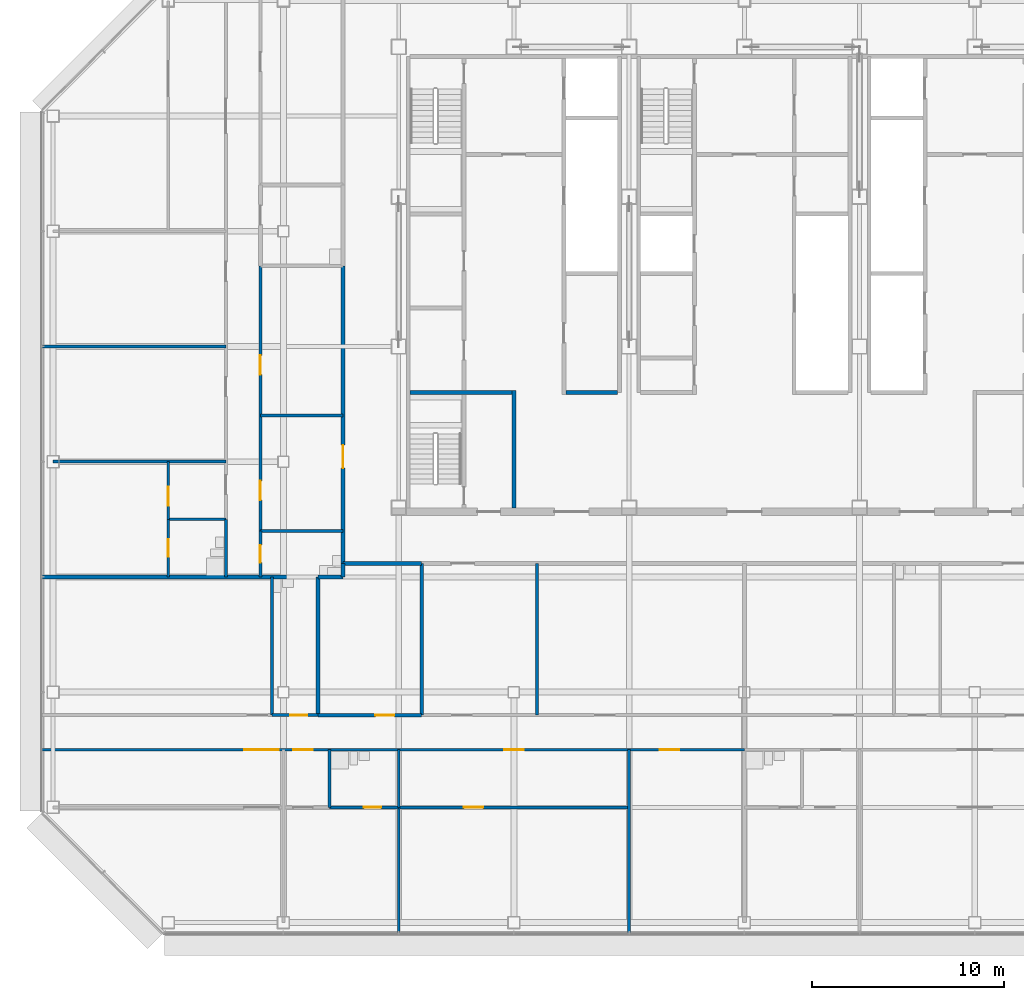
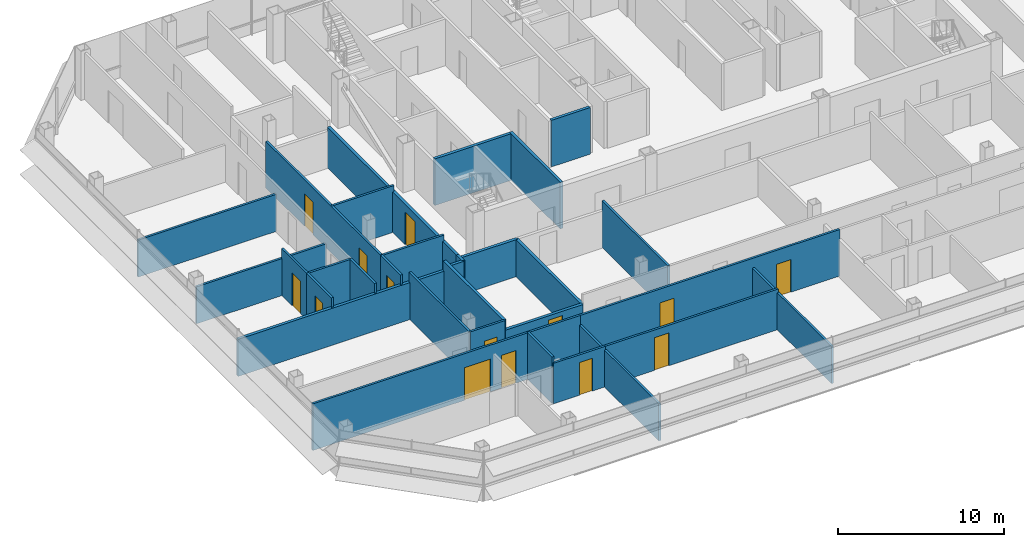
# One storey, part 20 of 26: 33 walls, 14 doors, 14 openings.
"""IFC4 building model written with IfcOpenShell, lengths in metres."""

from ifc_helpers import new_model, si_unit, direction, frame, frame_2d, origin, place, context, subcontext, project, spatial, rectangle, extrude, material, layer, layer_set, type_object, element, fill, save


model = new_model("IFC4")

# Units and contexts
model_context = context("Model", 3, precision=1e-05, world=origin(), true_north=direction((0.0, 1.0)))
body_context = subcontext(model_context, "Body", "Model", "MODEL_VIEW")
ifc_project = project(units=[si_unit("LENGTHUNIT", "METRE"), si_unit("AREAUNIT", "SQUARE_METRE"), si_unit("VOLUMEUNIT", "CUBIC_METRE"), si_unit("PLANEANGLEUNIT", "RADIAN"), si_unit("MASSUNIT", "GRAM", prefix="KILO")], contexts=[model_context])

# Site, building, storey
site_placement = place(None, origin())
site = spatial("IfcSite", under=ifc_project, at=site_placement, CompositionType="ELEMENT")
building_placement = place(site_placement, origin())
building = spatial("IfcBuilding", under=site, at=building_placement, Name="Sorahane Residences", CompositionType="ELEMENT")
storey_placement = place(building_placement, frame((0.0, 0.0, 222.60009765625)))
storey = spatial("IfcBuildingStorey", under=building, at=storey_placement, Name="L52", CompositionType="ELEMENT", Elevation=222.60009765625)

# Wall, opening, door
ifc_material_1 = material(Name="Concrete blockwork C20 wall", Category="masonry")
ifc_layer_1 = layer(ifc_material_1, 0.199951171875)
ifc_layer_set_1 = layer_set([ifc_layer_1], Name="Corridor wall 200 EI 120")
wall_type_1 = type_object("IfcWallType", Name="Corridor wall 200 EI 120", PredefinedType="SOLIDWALL", material=ifc_layer_set_1)
wall_1_placement = place(storey_placement, frame((3.10009765625, 18.699951171875, 0.0), z_axis=(0.0, 0.0, 1.0), x_axis=(0.0, 1.0, 0.0)))
wall_1 = element("IfcWall", 1, at=wall_1_placement, inside=storey, type_object=wall_type_1, Name="L52 corridor wall", PredefinedType="SOLIDWALL", context=body_context, shape_type="SweptSolid", body=[
    extrude(rectangle(XDim=15.5, YDim=0.199951171875, at=frame_2d((7.75, 0.0))), origin(), (0.0, 0.0, 1.0), 2.969970703125),
])
opening_1_placement = place(wall_1_placement, frame((4.9599609375, 0.0, 0.0)))
opening_1 = element("IfcOpeningElement", 2, at=opening_1_placement, cuts=wall_1, Name="Opening L52-40", PredefinedType="OPENING", context=body_context, shape_type="SweptSolid", body=[
    extrude(rectangle(XDim=1.199951171875, YDim=2.39990234375, at=frame_2d((0.60009765625, 1.199951171875))), frame((0.0, 0.10986328125, 0.0), z_axis=(0.0, -1.0, 0.0), x_axis=(1.0, 0.0, 0.0)), (0.0, 0.0, 1.0), 0.219970703125),
])
ifc_material_2 = material(Name="Timber veneered fire door", Category="wood")
door_type_1 = type_object("IfcDoorType", Name="Flat entrance door 1200x2400 FD60", OperationType="NOTDEFINED", PredefinedType="DOOR", material=ifc_material_2)
door_1_placement = place(opening_1_placement, origin())
door_1 = element("IfcDoor", 3, at=door_1_placement, inside=storey, type_object=door_type_1, Name="Flat entrance door L52-40", OperationType="SINGLE_SWING_LEFT", OverallHeight=2.39990234375, OverallWidth=1.199951171875, PredefinedType="DOOR", context=body_context, shape_type="SweptSolid", body=[
    extrude(rectangle(XDim=1.199951171875, YDim=2.39990234375, at=frame_2d((0.60009765625, 1.199951171875))), frame((0.0, 0.02490234375, 0.0), z_axis=(0.0, -1.0, 0.0), x_axis=(1.0, 0.0, 0.0)), (0.0, 0.0, 1.0), 0.050048828125),
])
fill(opening_1, door_1)

# Walls
ifc_material_3 = material(Name="Concrete C30", Category="concrete")
ifc_layer_2 = layer(ifc_material_3, 0.199951171875)
ifc_layer_set_2 = layer_set([ifc_layer_2], Name="Front room wall 200 EI 120")
wall_type_2 = type_object("IfcWallType", Name="Front room wall 200 EI 120", PredefinedType="PARTITIONING", material=ifc_layer_set_2)
wall_2_placement = place(storey_placement, frame((12.0, 21.60009765625, 0.0), z_axis=(0.0, 0.0, 1.0), x_axis=(0.0, 1.0, 0.0)))
element("IfcWall", 4, at=wall_2_placement, inside=storey, type_object=wall_type_2, Name="L52 front room wall", PredefinedType="PARTITIONING", context=body_context, shape_type="SweptSolid", body=[
    extrude(rectangle(XDim=6.099853515625, YDim=0.199951171875, at=frame_2d((3.0498046875, 0.0))), origin(), (0.0, 0.0, 1.0), 3.419921875),
])
ifc_material_4 = material(Name="Concrete blockwork C20 wall", Category="masonry")
ifc_layer_3 = layer(ifc_material_4, 0.199951171875)
ifc_layer_set_3 = layer_set([ifc_layer_3], Name="Kitchen wall 200 EI 180")
wall_type_3 = type_object("IfcWallType", Name="Kitchen wall 200 EI 180", PredefinedType="SOLIDWALL", material=ifc_layer_set_3)
wall_3_placement = place(storey_placement, frame((1.800048828125, 10.800048828125, 0.0), z_axis=(0.0, 0.0, 1.0), x_axis=(0.0, 1.0, 0.0)))
element("IfcWall", 5, at=wall_3_placement, inside=storey, type_object=wall_type_3, Name="L52 kitchen wall", PredefinedType="SOLIDWALL", context=body_context, shape_type="SweptSolid", body=[
    extrude(rectangle(XDim=7.199951171875, YDim=0.199951171875, at=frame_2d((3.60009765625, 0.0))), origin(), (0.0, 0.0, 1.0), 3.419921875),
])
wall_4_placement = place(storey_placement, frame((3.10009765625, 18.0, 0.0), z_axis=(0.0, 0.0, 1.0), x_axis=(0.0, 1.0, 0.0)))
element("IfcWall", 6, at=wall_4_placement, inside=storey, type_object=wall_type_3, Name="L52 kitchen wall", PredefinedType="SOLIDWALL", context=body_context, shape_type="SweptSolid", body=[
    extrude(rectangle(XDim=0.699951171875, YDim=0.199951171875, at=frame_2d((0.35009765625, 0.0))), origin(), (0.0, 0.0, 1.0), 2.969970703125),
])
wall_5_placement = place(storey_placement, frame((7.199951171875, 10.800048828125, 0.0), z_axis=(0.0, 0.0, 1.0), x_axis=(0.0, 1.0, 0.0)))
element("IfcWall", 7, at=wall_5_placement, inside=storey, type_object=wall_type_3, Name="L52 kitchen wall", PredefinedType="SOLIDWALL", context=body_context, shape_type="SweptSolid", body=[
    extrude(rectangle(XDim=7.89990234375, YDim=0.199951171875, at=frame_2d((3.949951171875, 0.0))), origin(), (0.0, 0.0, 1.0), 2.719970703125),
])

# Wall, opening, door
wall_6_placement = place(storey_placement, frame((1.800048828125, 10.800048828125, 0.0), z_axis=(0.0, 0.0, 1.0), x_axis=(1.0, 0.0, 0.0)))
wall_6 = element("IfcWall", 8, at=wall_6_placement, inside=storey, type_object=wall_type_3, Name="L52 kitchen wall", PredefinedType="SOLIDWALL", context=body_context, shape_type="SweptSolid", body=[
    extrude(rectangle(XDim=5.39990234375, YDim=0.199951171875, at=frame_2d((2.699951171875, 0.0))), origin(), (0.0, 0.0, 1.0), 2.719970703125),
])
opening_2_placement = place(wall_6_placement, frame((2.97998046875, 0.0, 0.0)))
opening_2 = element("IfcOpeningElement", 9, at=opening_2_placement, cuts=wall_6, Name="Opening L52-04", PredefinedType="OPENING", context=body_context, shape_type="SweptSolid", body=[
    extrude(rectangle(XDim=1.0, YDim=2.39990234375, at=frame_2d((0.5, 1.199951171875))), frame((0.0, 0.10986328125, 0.0), z_axis=(0.0, -1.0, 0.0), x_axis=(1.0, 0.0, 0.0)), (0.0, 0.0, 1.0), 0.219970703125),
])
ifc_material_5 = material(Name="Steel", Category="steel")
door_type_2 = type_object("IfcDoorType", Name="Kitchen door 1000x2400 FD120", OperationType="NOTDEFINED", PredefinedType="DOOR", material=ifc_material_5)
door_2_placement = place(opening_2_placement, origin())
door_2 = element("IfcDoor", 10, at=door_2_placement, inside=storey, type_object=door_type_2, Name="Kitchen door L52-04", OperationType="SINGLE_SWING_RIGHT", OverallHeight=2.39990234375, OverallWidth=1.0, PredefinedType="DOOR", context=body_context, shape_type="SweptSolid", body=[
    extrude(rectangle(XDim=1.0, YDim=2.39990234375, at=frame_2d((0.5, 1.199951171875))), frame((0.0, 0.02490234375, 0.0), z_axis=(0.0, -1.0, 0.0), x_axis=(1.0, 0.0, 0.0)), (0.0, 0.0, 1.0), 0.050048828125),
])
fill(opening_2, door_2)

# Walls
wall_7_placement = place(storey_placement, frame((1.800048828125, 18.0, 0.0), z_axis=(0.0, 0.0, 1.0), x_axis=(1.0, 0.0, 0.0)))
element("IfcWall", 11, at=wall_7_placement, inside=storey, type_object=wall_type_3, Name="L52 kitchen wall", PredefinedType="SOLIDWALL", context=body_context, shape_type="SweptSolid", body=[
    extrude(rectangle(XDim=1.300048828125, YDim=0.199951171875, at=frame_2d((0.64990234375, 0.0))), origin(), (0.0, 0.0, 1.0), 2.969970703125),
])
wall_8_placement = place(storey_placement, frame((3.10009765625, 18.699951171875, 0.0), z_axis=(0.0, 0.0, 1.0), x_axis=(1.0, 0.0, 0.0)))
element("IfcWall", 12, at=wall_8_placement, inside=storey, type_object=wall_type_3, Name="L52 kitchen wall", PredefinedType="SOLIDWALL", context=body_context, shape_type="SweptSolid", body=[
    extrude(rectangle(XDim=4.099853515625, YDim=0.199951171875, at=frame_2d((2.0498046875, 0.0))), origin(), (0.0, 0.0, 1.0), 2.719970703125),
])

# Wall, openings, doors
ifc_material_6 = material(Name="Gypsum board partition on steel studs", Category="steel")
ifc_layer_4 = layer(ifc_material_6, 0.14990234375)
ifc_layer_set_4 = layer_set([ifc_layer_4], Name="Partition 150 EI 90")
wall_type_4 = type_object("IfcWallType", Name="Partition 150 EI 90", PredefinedType="PARTITIONING", material=ifc_layer_set_4)
wall_9_placement = place(storey_placement, frame((-1.199951171875, 20.39990234375, 0.0), z_axis=(0.0, 0.0, 1.0), x_axis=(0.0, 1.0, 0.0)))
wall_9 = element("IfcWall", 13, at=wall_9_placement, inside=storey, type_object=wall_type_4, Name="L52 partition", PredefinedType="PARTITIONING", context=body_context, shape_type="SweptSolid", body=[
    extrude(rectangle(XDim=13.800048828125, YDim=0.14990234375, at=frame_2d((6.89990234375, 0.0))), origin(), (0.0, 0.0, 1.0), 3.419921875),
])
opening_3_placement = place(wall_9_placement, frame((1.60009765625, 0.0, 0.0)))
opening_3 = element("IfcOpeningElement", 14, at=opening_3_placement, cuts=wall_9, Name="Opening L52-26", PredefinedType="OPENING", context=body_context, shape_type="SweptSolid", body=[
    extrude(rectangle(XDim=1.0, YDim=2.39990234375, at=frame_2d((0.5, 1.199951171875))), frame((0.0, 0.0849609375, 0.0), z_axis=(0.0, -1.0, 0.0), x_axis=(1.0, 0.0, 0.0)), (0.0, 0.0, 1.0), 0.169921875),
])
opening_4_placement = place(wall_9_placement, frame((8.139892578125, 0.0, 0.0)))
opening_4 = element("IfcOpeningElement", 15, at=opening_4_placement, cuts=wall_9, Name="Opening L52-28", PredefinedType="OPENING", context=body_context, shape_type="SweptSolid", body=[
    extrude(rectangle(XDim=1.0, YDim=2.39990234375, at=frame_2d((0.5, 1.199951171875))), frame((0.0, 0.0849609375, 0.0), z_axis=(0.0, -1.0, 0.0), x_axis=(1.0, 0.0, 0.0)), (0.0, 0.0, 1.0), 0.169921875),
])
ifc_material_7 = material(Name="Timber veneered fire door", Category="wood")
door_type_3 = type_object("IfcDoorType", Name="Room door 1000x2400 FD30", OperationType="NOTDEFINED", PredefinedType="DOOR", material=ifc_material_7)
door_3_placement = place(opening_3_placement, origin())
door_3 = element("IfcDoor", 16, at=door_3_placement, inside=storey, type_object=door_type_3, Name="Room door L52-26", OperationType="SINGLE_SWING_RIGHT", OverallHeight=2.39990234375, OverallWidth=1.0, PredefinedType="DOOR", context=body_context, shape_type="SweptSolid", body=[
    extrude(rectangle(XDim=1.0, YDim=2.39990234375, at=frame_2d((0.5, 1.199951171875))), frame((0.0, 0.02490234375, 0.0), z_axis=(0.0, -1.0, 0.0), x_axis=(1.0, 0.0, 0.0)), (0.0, 0.0, 1.0), 0.050048828125),
])
fill(opening_3, door_3)
door_4_placement = place(opening_4_placement, frame((1.0, 0.0, 0.0), z_axis=(0.0, 0.0, 1.0), x_axis=(-1.0, 0.0, 0.0)))
door_4 = element("IfcDoor", 17, at=door_4_placement, inside=storey, type_object=door_type_3, Name="Room door L52-28", OperationType="SINGLE_SWING_RIGHT", OverallHeight=2.39990234375, OverallWidth=1.0, PredefinedType="DOOR", context=body_context, shape_type="SweptSolid", body=[
    extrude(rectangle(XDim=1.0, YDim=2.39990234375, at=frame_2d((0.5, 1.199951171875))), frame((0.0, 0.02490234375, 0.0), z_axis=(0.0, -1.0, 0.0), x_axis=(1.0, 0.0, 0.0)), (0.0, 0.0, 1.0), 0.050048828125),
])
fill(opening_4, door_4)

# Wall, opening, door
wall_10_placement = place(storey_placement, frame((-6.0, 21.0, 0.0), z_axis=(0.0, 0.0, 1.0), x_axis=(0.0, 1.0, 0.0)))
wall_10 = element("IfcWall", 18, at=wall_10_placement, inside=storey, type_object=wall_type_4, Name="L52 partition", PredefinedType="PARTITIONING", context=body_context, shape_type="SweptSolid", body=[
    extrude(rectangle(XDim=3.0, YDim=0.14990234375, at=frame_2d((1.5, 0.0))), origin(), (0.0, 0.0, 1.0), 3.419921875),
])
opening_5_placement = place(wall_10_placement, frame((0.699951171875, 0.0, 0.0)))
opening_5 = element("IfcOpeningElement", 19, at=opening_5_placement, cuts=wall_10, Name="Opening L52-35", PredefinedType="OPENING", context=body_context, shape_type="SweptSolid", body=[
    extrude(rectangle(XDim=1.0, YDim=2.39990234375, at=frame_2d((0.5, 1.199951171875))), frame((0.0, 0.0849609375, 0.0), z_axis=(0.0, -1.0, 0.0), x_axis=(1.0, 0.0, 0.0)), (0.0, 0.0, 1.0), 0.169921875),
])
door_5_placement = place(opening_5_placement, origin())
door_5 = element("IfcDoor", 20, at=door_5_placement, inside=storey, type_object=door_type_3, Name="Room door L52-35", OperationType="SINGLE_SWING_RIGHT", OverallHeight=2.39990234375, OverallWidth=1.0, PredefinedType="DOOR", context=body_context, shape_type="SweptSolid", body=[
    extrude(rectangle(XDim=1.0, YDim=2.39990234375, at=frame_2d((0.5, 1.199951171875))), frame((0.0, 0.02490234375, 0.0), z_axis=(0.0, -1.0, 0.0), x_axis=(1.0, 0.0, 0.0)), (0.0, 0.0, 1.0), 0.050048828125),
])
fill(opening_5, door_5)

# Walls
wall_11_placement = place(storey_placement, frame((13.199951171875, 10.800048828125, 0.0), z_axis=(0.0, 0.0, 1.0), x_axis=(0.0, 1.0, 0.0)))
element("IfcWall", 21, at=wall_11_placement, inside=storey, type_object=wall_type_4, Name="L52 partition", PredefinedType="PARTITIONING", context=body_context, shape_type="SweptSolid", body=[
    extrude(rectangle(XDim=7.89990234375, YDim=0.14990234375, at=frame_2d((3.949951171875, 0.0))), origin(), (0.0, 0.0, 1.0), 3.419921875),
])
wall_12_placement = place(storey_placement, frame((18.0, -0.60009765625, 0.0), z_axis=(0.0, 0.0, 1.0), x_axis=(0.0, 1.0, 0.0)))
element("IfcWall", 22, at=wall_12_placement, inside=storey, type_object=wall_type_4, Name="L52 partition", PredefinedType="PARTITIONING", context=body_context, shape_type="SweptSolid", body=[
    extrude(rectangle(XDim=9.60009765625, YDim=0.14990234375, at=frame_2d((4.800048828125, 0.0))), origin(), (0.0, 0.0, 1.0), 2.719970703125),
])
wall_13_placement = place(storey_placement, frame((6.0, -0.60009765625, 0.0), z_axis=(0.0, 0.0, 1.0), x_axis=(0.0, 1.0, 0.0)))
element("IfcWall", 23, at=wall_13_placement, inside=storey, type_object=wall_type_4, Name="L52 partition", PredefinedType="PARTITIONING", context=body_context, shape_type="SweptSolid", body=[
    extrude(rectangle(XDim=6.60009765625, YDim=0.14990234375, at=frame_2d((3.300048828125, 0.0))), origin(), (0.0, 0.0, 1.0), 2.719970703125),
])
wall_14_placement = place(storey_placement, frame((-12.0, 24.0, 0.0), z_axis=(0.0, 0.0, 1.0), x_axis=(1.0, 0.0, 0.0)))
element("IfcWall", 24, at=wall_14_placement, inside=storey, type_object=wall_type_4, Name="L52 partition", PredefinedType="PARTITIONING", context=body_context, shape_type="SweptSolid", body=[
    extrude(rectangle(XDim=9.0, YDim=0.14990234375, at=frame_2d((4.5, 0.0))), origin(), (0.0, 0.0, 1.0), 2.719970703125),
])
wall_15_placement = place(storey_placement, frame((-1.199951171875, 26.39990234375, 0.0), z_axis=(0.0, 0.0, 1.0), x_axis=(1.0, 0.0, 0.0)))
element("IfcWall", 25, at=wall_15_placement, inside=storey, type_object=wall_type_4, Name="L52 partition", PredefinedType="PARTITIONING", context=body_context, shape_type="SweptSolid", body=[
    extrude(rectangle(XDim=4.300048828125, YDim=0.14990234375, at=frame_2d((2.14990234375, 0.0))), origin(), (0.0, 0.0, 1.0), 3.419921875),
])
wall_16_placement = place(storey_placement, frame((-12.60009765625, 30.0, 0.0), z_axis=(0.0, 0.0, 1.0), x_axis=(1.0, 0.0, 0.0)))
element("IfcWall", 26, at=wall_16_placement, inside=storey, type_object=wall_type_4, Name="L52 partition", PredefinedType="PARTITIONING", context=body_context, shape_type="SweptSolid", body=[
    extrude(rectangle(XDim=9.60009765625, YDim=0.14990234375, at=frame_2d((4.800048828125, 0.0))), origin(), (0.0, 0.0, 1.0), 2.719970703125),
])

# Wall, opening, door
wall_17_placement = place(storey_placement, frame((6.0, 6.0, 0.0), z_axis=(0.0, 0.0, 1.0), x_axis=(1.0, 0.0, 0.0)))
wall_17 = element("IfcWall", 27, at=wall_17_placement, inside=storey, type_object=wall_type_4, Name="L52 partition", PredefinedType="PARTITIONING", context=body_context, shape_type="SweptSolid", body=[
    extrude(rectangle(XDim=12.0, YDim=0.14990234375, at=frame_2d((6.0, 0.0))), origin(), (0.0, 0.0, 1.0), 2.969970703125),
])
opening_6_placement = place(wall_17_placement, frame((3.39990234375, 0.0, 0.0)))
opening_6 = element("IfcOpeningElement", 28, at=opening_6_placement, cuts=wall_17, Name="Opening L52-13", PredefinedType="OPENING", context=body_context, shape_type="SweptSolid", body=[
    extrude(rectangle(XDim=1.0, YDim=2.39990234375, at=frame_2d((0.5, 1.199951171875))), frame((0.0, 0.0849609375, 0.0), z_axis=(0.0, -1.0, 0.0), x_axis=(1.0, 0.0, 0.0)), (0.0, 0.0, 1.0), 0.169921875),
])
door_6_placement = place(opening_6_placement, frame((1.0, 0.0, 0.0), z_axis=(0.0, 0.0, 1.0), x_axis=(-1.0, 0.0, 0.0)))
door_6 = element("IfcDoor", 29, at=door_6_placement, inside=storey, type_object=door_type_3, Name="Room door L52-13", OperationType="SINGLE_SWING_RIGHT", OverallHeight=2.39990234375, OverallWidth=1.0, PredefinedType="DOOR", context=body_context, shape_type="SweptSolid", body=[
    extrude(rectangle(XDim=1.0, YDim=2.39990234375, at=frame_2d((0.5, 1.199951171875))), frame((0.0, 0.02490234375, 0.0), z_axis=(0.0, -1.0, 0.0), x_axis=(1.0, 0.0, 0.0)), (0.0, 0.0, 1.0), 0.050048828125),
])
fill(opening_6, door_6)

# Wall, openings, doors
wall_18_placement = place(storey_placement, frame((-12.60009765625, 9.0, 0.0), z_axis=(0.0, 0.0, 1.0), x_axis=(1.0, 0.0, 0.0)))
wall_18 = element("IfcWall", 30, at=wall_18_placement, inside=storey, type_object=wall_type_4, Name="L52 partition", PredefinedType="PARTITIONING", context=body_context, shape_type="SweptSolid", body=[
    extrude(rectangle(XDim=15.0, YDim=0.14990234375, at=frame_2d((7.5, 0.0))), origin(), (0.0, 0.0, 1.0), 3.419921875),
])
opening_7_placement = place(wall_18_placement, frame((10.550048828125, 0.0, 0.0)))
opening_7 = element("IfcOpeningElement", 31, at=opening_7_placement, cuts=wall_18, Name="Opening L52-06", PredefinedType="OPENING", context=body_context, shape_type="SweptSolid", body=[
    extrude(rectangle(XDim=1.800048828125, YDim=2.39990234375, at=frame_2d((0.89990234375, 1.199951171875))), frame((0.0, 0.0849609375, 0.0), z_axis=(0.0, -1.0, 0.0), x_axis=(1.0, 0.0, 0.0)), (0.0, 0.0, 1.0), 0.169921875),
])
opening_8_placement = place(wall_18_placement, frame((13.1201171875, 0.0, 0.0)))
opening_8 = element("IfcOpeningElement", 32, at=opening_8_placement, cuts=wall_18, Name="Opening L52-07", PredefinedType="OPENING", context=body_context, shape_type="SweptSolid", body=[
    extrude(rectangle(XDim=1.0, YDim=2.39990234375, at=frame_2d((0.5, 1.199951171875))), frame((0.0, 0.0849609375, 0.0), z_axis=(0.0, -1.0, 0.0), x_axis=(1.0, 0.0, 0.0)), (0.0, 0.0, 1.0), 0.169921875),
])
ifc_material_8 = material(Name="Timber veneered fire door", Category="wood")
door_type_4 = type_object("IfcDoorType", Name="Double door 1800x2400 FD30", OperationType="NOTDEFINED", PredefinedType="DOOR", material=ifc_material_8)
door_7_placement = place(opening_7_placement, frame((1.800048828125, 0.0, 0.0), z_axis=(0.0, 0.0, 1.0), x_axis=(-1.0, 0.0, 0.0)))
door_7 = element("IfcDoor", 33, at=door_7_placement, inside=storey, type_object=door_type_4, Name="Double door L52-06", OperationType="SINGLE_SWING_LEFT", OverallHeight=2.39990234375, OverallWidth=1.800048828125, PredefinedType="DOOR", context=body_context, shape_type="SweptSolid", body=[
    extrude(rectangle(XDim=1.800048828125, YDim=2.39990234375, at=frame_2d((0.89990234375, 1.199951171875))), frame((0.0, 0.02490234375, 0.0), z_axis=(0.0, -1.0, 0.0), x_axis=(1.0, 0.0, 0.0)), (0.0, 0.0, 1.0), 0.050048828125),
])
fill(opening_7, door_7)
door_8_placement = place(opening_8_placement, frame((1.0, 0.0, 0.0), z_axis=(0.0, 0.0, 1.0), x_axis=(-1.0, 0.0, 0.0)))
door_8 = element("IfcDoor", 34, at=door_8_placement, inside=storey, type_object=door_type_3, Name="Room door L52-07", OperationType="SINGLE_SWING_LEFT", OverallHeight=2.39990234375, OverallWidth=1.0, PredefinedType="DOOR", context=body_context, shape_type="SweptSolid", body=[
    extrude(rectangle(XDim=1.0, YDim=2.39990234375, at=frame_2d((0.5, 1.199951171875))), frame((0.0, 0.02490234375, 0.0), z_axis=(0.0, -1.0, 0.0), x_axis=(1.0, 0.0, 0.0)), (0.0, 0.0, 1.0), 0.050048828125),
])
fill(opening_8, door_8)

wall_19_placement = place(storey_placement, frame((6.0, 9.0, 0.0), z_axis=(0.0, 0.0, 1.0), x_axis=(1.0, 0.0, 0.0)))
wall_19 = element("IfcWall", 35, at=wall_19_placement, inside=storey, type_object=wall_type_4, Name="L52 partition", PredefinedType="PARTITIONING", context=body_context, shape_type="SweptSolid", body=[
    extrude(rectangle(XDim=18.0, YDim=0.14990234375, at=frame_2d((9.0, 0.0))), origin(), (0.0, 0.0, 1.0), 3.419921875),
])
opening_9_placement = place(wall_19_placement, frame((5.5, 0.0, 0.0)))
opening_9 = element("IfcOpeningElement", 36, at=opening_9_placement, cuts=wall_19, Name="Opening L52-08", PredefinedType="OPENING", context=body_context, shape_type="SweptSolid", body=[
    extrude(rectangle(XDim=1.0, YDim=2.39990234375, at=frame_2d((0.5, 1.199951171875))), frame((0.0, 0.0849609375, 0.0), z_axis=(0.0, -1.0, 0.0), x_axis=(1.0, 0.0, 0.0)), (0.0, 0.0, 1.0), 0.169921875),
])
opening_10_placement = place(wall_19_placement, frame((13.60009765625, 0.0, 0.0)))
opening_10 = element("IfcOpeningElement", 37, at=opening_10_placement, cuts=wall_19, Name="Opening L52-09", PredefinedType="OPENING", context=body_context, shape_type="SweptSolid", body=[
    extrude(rectangle(XDim=1.0, YDim=2.39990234375, at=frame_2d((0.5, 1.199951171875))), frame((0.0, 0.0849609375, 0.0), z_axis=(0.0, -1.0, 0.0), x_axis=(1.0, 0.0, 0.0)), (0.0, 0.0, 1.0), 0.169921875),
])
door_9_placement = place(opening_9_placement, frame((1.0, 0.0, 0.0), z_axis=(0.0, 0.0, 1.0), x_axis=(-1.0, 0.0, 0.0)))
door_9 = element("IfcDoor", 38, at=door_9_placement, inside=storey, type_object=door_type_3, Name="Room door L52-08", OperationType="SINGLE_SWING_LEFT", OverallHeight=2.39990234375, OverallWidth=1.0, PredefinedType="DOOR", context=body_context, shape_type="SweptSolid", body=[
    extrude(rectangle(XDim=1.0, YDim=2.39990234375, at=frame_2d((0.5, 1.199951171875))), frame((0.0, 0.02490234375, 0.0), z_axis=(0.0, -1.0, 0.0), x_axis=(1.0, 0.0, 0.0)), (0.0, 0.0, 1.0), 0.050048828125),
])
fill(opening_9, door_9)
door_10_placement = place(opening_10_placement, frame((1.0, 0.0, 0.0), z_axis=(0.0, 0.0, 1.0), x_axis=(-1.0, 0.0, 0.0)))
door_10 = element("IfcDoor", 39, at=door_10_placement, inside=storey, type_object=door_type_3, Name="Room door L52-09", OperationType="SINGLE_SWING_LEFT", OverallHeight=2.39990234375, OverallWidth=1.0, PredefinedType="DOOR", context=body_context, shape_type="SweptSolid", body=[
    extrude(rectangle(XDim=1.0, YDim=2.39990234375, at=frame_2d((0.5, 1.199951171875))), frame((0.0, 0.02490234375, 0.0), z_axis=(0.0, -1.0, 0.0), x_axis=(1.0, 0.0, 0.0)), (0.0, 0.0, 1.0), 0.050048828125),
])
fill(opening_10, door_10)

# Walls
ifc_material_9 = material(Name="Concrete blockwork C20 wall", Category="masonry")
ifc_layer_5 = layer(ifc_material_9, 0.199951171875)
ifc_layer_set_5 = layer_set([ifc_layer_5], Name="Party wall 200 EI 120")
wall_type_5 = type_object("IfcWallType", Name="Party wall 200 EI 120", PredefinedType="SOLIDWALL", material=ifc_layer_set_5)
wall_20_placement = place(storey_placement, frame((-12.60009765625, 18.0, 0.0), z_axis=(0.0, 0.0, 1.0), x_axis=(1.0, 0.0, 0.0)))
element("IfcWall", 40, at=wall_20_placement, inside=storey, type_object=wall_type_5, Name="L52 party wall", PredefinedType="SOLIDWALL", context=body_context, shape_type="SweptSolid", body=[
    extrude(rectangle(XDim=14.400146484375, YDim=0.199951171875, at=frame_2d((7.2001953125, 0.0))), origin(), (0.0, 0.0, 1.0), 2.719970703125),
])
ifc_material_10 = material(Name="Concrete C30", Category="concrete")
ifc_layer_6 = layer(ifc_material_10, 0.199951171875)
ifc_layer_set_6 = layer_set([ifc_layer_6], Name="Service room partition 200 EI 60")
wall_type_6 = type_object("IfcWallType", Name="Service room partition 200 EI 60", PredefinedType="PARTITIONING", material=ifc_layer_set_6)
wall_21_placement = place(storey_placement, frame((14.699951171875, 27.60009765625, 0.0), z_axis=(0.0, 0.0, 1.0), x_axis=(1.0, 0.0, 0.0)))
element("IfcWall", 41, at=wall_21_placement, inside=storey, type_object=wall_type_6, Name="L52 service room wall", PredefinedType="PARTITIONING", context=body_context, shape_type="SweptSolid", body=[
    extrude(rectangle(XDim=2.699951171875, YDim=0.199951171875, at=frame_2d((1.35009765625, 0.0))), origin(), (0.0, 0.0, 1.0), 3.419921875),
])
ifc_material_11 = material(Name="Concrete C30", Category="concrete")
ifc_layer_7 = layer(ifc_material_11, 0.199951171875)
ifc_layer_set_7 = layer_set([ifc_layer_7], Name="Stair enclosure wall 200 EI 120")
wall_type_7 = type_object("IfcWallType", Name="Stair enclosure wall 200 EI 120", PredefinedType="SOLIDWALL", material=ifc_layer_set_7)
wall_22_placement = place(storey_placement, frame((6.60009765625, 27.60009765625, 0.0), z_axis=(0.0, 0.0, 1.0), x_axis=(1.0, 0.0, 0.0)))
element("IfcWall", 42, at=wall_22_placement, inside=storey, type_object=wall_type_7, Name="L52 stair enclosure wall", PredefinedType="SOLIDWALL", context=body_context, shape_type="SweptSolid", body=[
    extrude(rectangle(XDim=5.2998046875, YDim=0.199951171875, at=frame_2d((2.64990234375, 0.0))), origin(), (0.0, 0.0, 1.0), 3.419921875),
])
ifc_material_12 = material(Name="Gypsum board partition on steel studs", Category="steel")
ifc_layer_8 = layer(ifc_material_12, 0.14990234375)
ifc_layer_set_8 = layer_set([ifc_layer_8], Name="Wet wall 150 EI 90")
wall_type_8 = type_object("IfcWallType", Name="Wet wall 150 EI 90", PredefinedType="PARTITIONING", material=ifc_layer_set_8)
wall_23_placement = place(storey_placement, frame((-0.60009765625, 10.800048828125, 0.0), z_axis=(0.0, 0.0, 1.0), x_axis=(0.0, 1.0, 0.0)))
element("IfcWall", 43, at=wall_23_placement, inside=storey, type_object=wall_type_8, Name="L52 wet wall", PredefinedType="PARTITIONING", context=body_context, shape_type="SweptSolid", body=[
    extrude(rectangle(XDim=7.199951171875, YDim=0.14990234375, at=frame_2d((3.60009765625, 0.0))), origin(), (0.0, 0.0, 1.0), 3.419921875),
])

# Wall, opening, door
wall_24_placement = place(storey_placement, frame((-1.199951171875, 18.0, 0.0), z_axis=(0.0, 0.0, 1.0), x_axis=(0.0, 1.0, 0.0)))
wall_24 = element("IfcWall", 44, at=wall_24_placement, inside=storey, type_object=wall_type_8, Name="L52 wet wall", PredefinedType="PARTITIONING", context=body_context, shape_type="SweptSolid", body=[
    extrude(rectangle(XDim=2.39990234375, YDim=0.14990234375, at=frame_2d((1.199951171875, 0.0))), origin(), (0.0, 0.0, 1.0), 3.419921875),
])
opening_11_placement = place(wall_24_placement, frame((0.75, 0.0, 0.0)))
opening_11 = element("IfcOpeningElement", 45, at=opening_11_placement, cuts=wall_24, Name="Opening L52-27", PredefinedType="OPENING", context=body_context, shape_type="SweptSolid", body=[
    extrude(rectangle(XDim=0.89990234375, YDim=2.39990234375, at=frame_2d((0.449951171875, 1.199951171875))), frame((0.0, 0.0849609375, 0.0), z_axis=(0.0, -1.0, 0.0), x_axis=(1.0, 0.0, 0.0)), (0.0, 0.0, 1.0), 0.169921875),
])
ifc_material_13 = material(Name="Timber veneered fire door", Category="wood")
door_type_5 = type_object("IfcDoorType", Name="Bathroom door 900x2400 FD30", OperationType="NOTDEFINED", PredefinedType="DOOR", material=ifc_material_13)
door_11_placement = place(opening_11_placement, origin())
door_11 = element("IfcDoor", 46, at=door_11_placement, inside=storey, type_object=door_type_5, Name="Bathroom door L52-27", OperationType="SINGLE_SWING_RIGHT", OverallHeight=2.39990234375, OverallWidth=0.89990234375, PredefinedType="DOOR", context=body_context, shape_type="SweptSolid", body=[
    extrude(rectangle(XDim=0.89990234375, YDim=2.39990234375, at=frame_2d((0.449951171875, 1.199951171875))), frame((0.0, 0.02490234375, 0.0), z_axis=(0.0, -1.0, 0.0), x_axis=(1.0, 0.0, 0.0)), (0.0, 0.0, 1.0), 0.050048828125),
])
fill(opening_11, door_11)

# Wall
wall_25_placement = place(storey_placement, frame((-3.0, 18.0, 0.0), z_axis=(0.0, 0.0, 1.0), x_axis=(0.0, 1.0, 0.0)))
element("IfcWall", 47, at=wall_25_placement, inside=storey, type_object=wall_type_8, Name="L52 wet wall", PredefinedType="PARTITIONING", context=body_context, shape_type="SweptSolid", body=[
    extrude(rectangle(XDim=3.0, YDim=0.14990234375, at=frame_2d((1.5, 0.0))), origin(), (0.0, 0.0, 1.0), 3.419921875),
])

# Wall, opening, door
wall_26_placement = place(storey_placement, frame((-6.0, 18.0, 0.0), z_axis=(0.0, 0.0, 1.0), x_axis=(0.0, 1.0, 0.0)))
wall_26 = element("IfcWall", 48, at=wall_26_placement, inside=storey, type_object=wall_type_8, Name="L52 wet wall", PredefinedType="PARTITIONING", context=body_context, shape_type="SweptSolid", body=[
    extrude(rectangle(XDim=3.0, YDim=0.14990234375, at=frame_2d((1.5, 0.0))), origin(), (0.0, 0.0, 1.0), 3.419921875),
])
opening_12_placement = place(wall_26_placement, frame((1.050048828125, 0.0, 0.0)))
opening_12 = element("IfcOpeningElement", 49, at=opening_12_placement, cuts=wall_26, Name="Opening L52-36", PredefinedType="OPENING", context=body_context, shape_type="SweptSolid", body=[
    extrude(rectangle(XDim=0.89990234375, YDim=2.39990234375, at=frame_2d((0.449951171875, 1.199951171875))), frame((0.0, 0.0849609375, 0.0), z_axis=(0.0, -1.0, 0.0), x_axis=(1.0, 0.0, 0.0)), (0.0, 0.0, 1.0), 0.169921875),
])
door_12_placement = place(opening_12_placement, origin())
door_12 = element("IfcDoor", 50, at=door_12_placement, inside=storey, type_object=door_type_5, Name="Bathroom door L52-36", OperationType="SINGLE_SWING_LEFT", OverallHeight=2.39990234375, OverallWidth=0.89990234375, PredefinedType="DOOR", context=body_context, shape_type="SweptSolid", body=[
    extrude(rectangle(XDim=0.89990234375, YDim=2.39990234375, at=frame_2d((0.449951171875, 1.199951171875))), frame((0.0, 0.02490234375, 0.0), z_axis=(0.0, -1.0, 0.0), x_axis=(1.0, 0.0, 0.0)), (0.0, 0.0, 1.0), 0.050048828125),
])
fill(opening_12, door_12)

# Walls
wall_27_placement = place(storey_placement, frame((2.39990234375, 6.0, 0.0), z_axis=(0.0, 0.0, 1.0), x_axis=(0.0, 1.0, 0.0)))
element("IfcWall", 51, at=wall_27_placement, inside=storey, type_object=wall_type_8, Name="L52 wet wall", PredefinedType="PARTITIONING", context=body_context, shape_type="SweptSolid", body=[
    extrude(rectangle(XDim=3.0, YDim=0.14990234375, at=frame_2d((1.5, 0.0))), origin(), (0.0, 0.0, 1.0), 3.419921875),
])
wall_28_placement = place(storey_placement, frame((6.0, 6.0, 0.0), z_axis=(0.0, 0.0, 1.0), x_axis=(0.0, 1.0, 0.0)))
element("IfcWall", 52, at=wall_28_placement, inside=storey, type_object=wall_type_8, Name="L52 wet wall", PredefinedType="PARTITIONING", context=body_context, shape_type="SweptSolid", body=[
    extrude(rectangle(XDim=3.0, YDim=0.14990234375, at=frame_2d((1.5, 0.0))), origin(), (0.0, 0.0, 1.0), 2.719970703125),
])

# Wall, opening, door
wall_29_placement = place(storey_placement, frame((-0.60009765625, 10.800048828125, 0.0), z_axis=(0.0, 0.0, 1.0), x_axis=(1.0, 0.0, 0.0)))
wall_29 = element("IfcWall", 53, at=wall_29_placement, inside=storey, type_object=wall_type_8, Name="L52 wet wall", PredefinedType="PARTITIONING", context=body_context, shape_type="SweptSolid", body=[
    extrude(rectangle(XDim=2.400146484375, YDim=0.14990234375, at=frame_2d((1.2001953125, 0.0))), origin(), (0.0, 0.0, 1.0), 3.419921875),
])
opening_13_placement = place(wall_29_placement, frame((0.949951171875, 0.0, 0.0)))
opening_13 = element("IfcOpeningElement", 54, at=opening_13_placement, cuts=wall_29, Name="Opening L52-03", PredefinedType="OPENING", context=body_context, shape_type="SweptSolid", body=[
    extrude(rectangle(XDim=0.89990234375, YDim=2.39990234375, at=frame_2d((0.449951171875, 1.199951171875))), frame((0.0, 0.0849609375, 0.0), z_axis=(0.0, -1.0, 0.0), x_axis=(1.0, 0.0, 0.0)), (0.0, 0.0, 1.0), 0.169921875),
])
door_13_placement = place(opening_13_placement, frame((0.89990234375, 0.0, 0.0), z_axis=(0.0, 0.0, 1.0), x_axis=(-1.0, 0.0, 0.0)))
door_13 = element("IfcDoor", 55, at=door_13_placement, inside=storey, type_object=door_type_5, Name="Bathroom door L52-03", OperationType="SINGLE_SWING_RIGHT", OverallHeight=2.39990234375, OverallWidth=0.89990234375, PredefinedType="DOOR", context=body_context, shape_type="SweptSolid", body=[
    extrude(rectangle(XDim=0.89990234375, YDim=2.39990234375, at=frame_2d((0.449951171875, 1.199951171875))), frame((0.0, 0.02490234375, 0.0), z_axis=(0.0, -1.0, 0.0), x_axis=(1.0, 0.0, 0.0)), (0.0, 0.0, 1.0), 0.050048828125),
])
fill(opening_13, door_13)

# Walls
wall_30_placement = place(storey_placement, frame((-1.199951171875, 20.39990234375, 0.0), z_axis=(0.0, 0.0, 1.0), x_axis=(1.0, 0.0, 0.0)))
element("IfcWall", 56, at=wall_30_placement, inside=storey, type_object=wall_type_8, Name="L52 wet wall", PredefinedType="PARTITIONING", context=body_context, shape_type="SweptSolid", body=[
    extrude(rectangle(XDim=4.300048828125, YDim=0.14990234375, at=frame_2d((2.14990234375, 0.0))), origin(), (0.0, 0.0, 1.0), 3.419921875),
])
wall_31_placement = place(storey_placement, frame((-6.0, 21.0, 0.0), z_axis=(0.0, 0.0, 1.0), x_axis=(1.0, 0.0, 0.0)))
element("IfcWall", 57, at=wall_31_placement, inside=storey, type_object=wall_type_8, Name="L52 wet wall", PredefinedType="PARTITIONING", context=body_context, shape_type="SweptSolid", body=[
    extrude(rectangle(XDim=3.0, YDim=0.14990234375, at=frame_2d((1.5, 0.0))), origin(), (0.0, 0.0, 1.0), 3.419921875),
])

# Wall, opening, door
wall_32_placement = place(storey_placement, frame((2.39990234375, 6.0, 0.0), z_axis=(0.0, 0.0, 1.0), x_axis=(1.0, 0.0, 0.0)))
wall_32 = element("IfcWall", 58, at=wall_32_placement, inside=storey, type_object=wall_type_8, Name="L52 wet wall", PredefinedType="PARTITIONING", context=body_context, shape_type="SweptSolid", body=[
    extrude(rectangle(XDim=3.60009765625, YDim=0.14990234375, at=frame_2d((1.800048828125, 0.0))), origin(), (0.0, 0.0, 1.0), 2.969970703125),
])
opening_14_placement = place(wall_32_placement, frame((1.7900390625, 0.0, 0.0)))
opening_14 = element("IfcOpeningElement", 59, at=opening_14_placement, cuts=wall_32, Name="Opening L52-12", PredefinedType="OPENING", context=body_context, shape_type="SweptSolid", body=[
    extrude(rectangle(XDim=0.89990234375, YDim=2.39990234375, at=frame_2d((0.449951171875, 1.199951171875))), frame((0.0, 0.0849609375, 0.0), z_axis=(0.0, -1.0, 0.0), x_axis=(1.0, 0.0, 0.0)), (0.0, 0.0, 1.0), 0.169921875),
])
door_14_placement = place(opening_14_placement, frame((0.89990234375, 0.0, 0.0), z_axis=(0.0, 0.0, 1.0), x_axis=(-1.0, 0.0, 0.0)))
door_14 = element("IfcDoor", 60, at=door_14_placement, inside=storey, type_object=door_type_5, Name="Bathroom door L52-12", OperationType="SINGLE_SWING_RIGHT", OverallHeight=2.39990234375, OverallWidth=0.89990234375, PredefinedType="DOOR", context=body_context, shape_type="SweptSolid", body=[
    extrude(rectangle(XDim=0.89990234375, YDim=2.39990234375, at=frame_2d((0.449951171875, 1.199951171875))), frame((0.0, 0.02490234375, 0.0), z_axis=(0.0, -1.0, 0.0), x_axis=(1.0, 0.0, 0.0)), (0.0, 0.0, 1.0), 0.050048828125),
])
fill(opening_14, door_14)

# Wall
wall_33_placement = place(storey_placement, frame((2.39990234375, 9.0, 0.0), z_axis=(0.0, 0.0, 1.0), x_axis=(1.0, 0.0, 0.0)))
element("IfcWall", 61, at=wall_33_placement, inside=storey, type_object=wall_type_8, Name="L52 wet wall", PredefinedType="PARTITIONING", context=body_context, shape_type="SweptSolid", body=[
    extrude(rectangle(XDim=3.60009765625, YDim=0.14990234375, at=frame_2d((1.800048828125, 0.0))), origin(), (0.0, 0.0, 1.0), 3.419921875),
])

save(model, "model.ifc")
